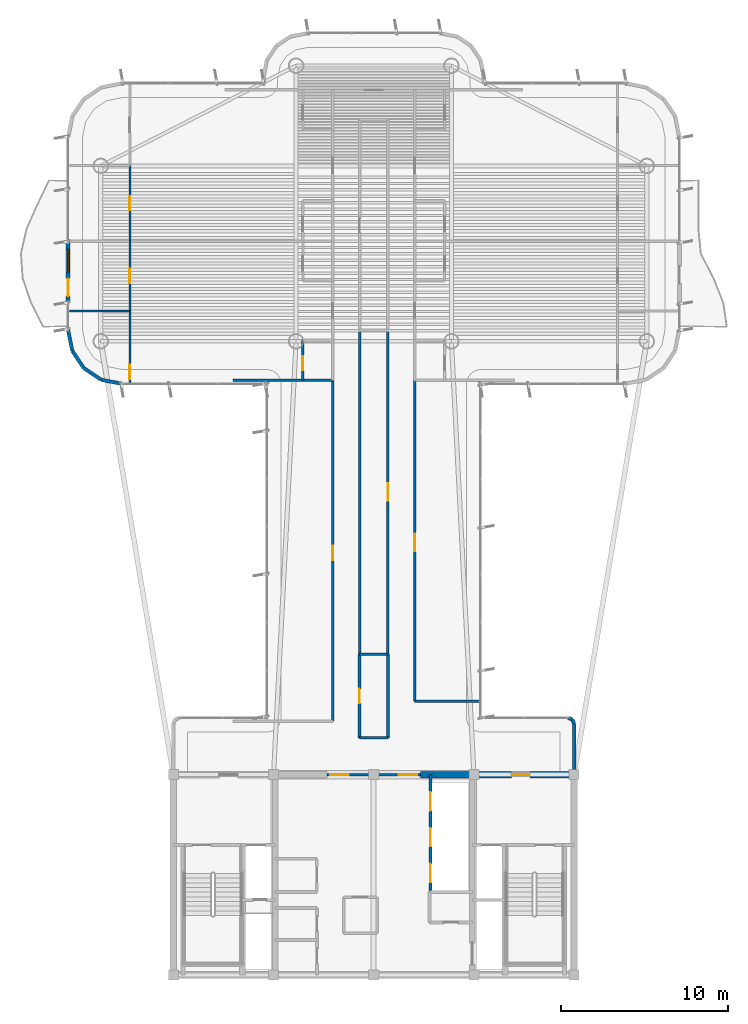
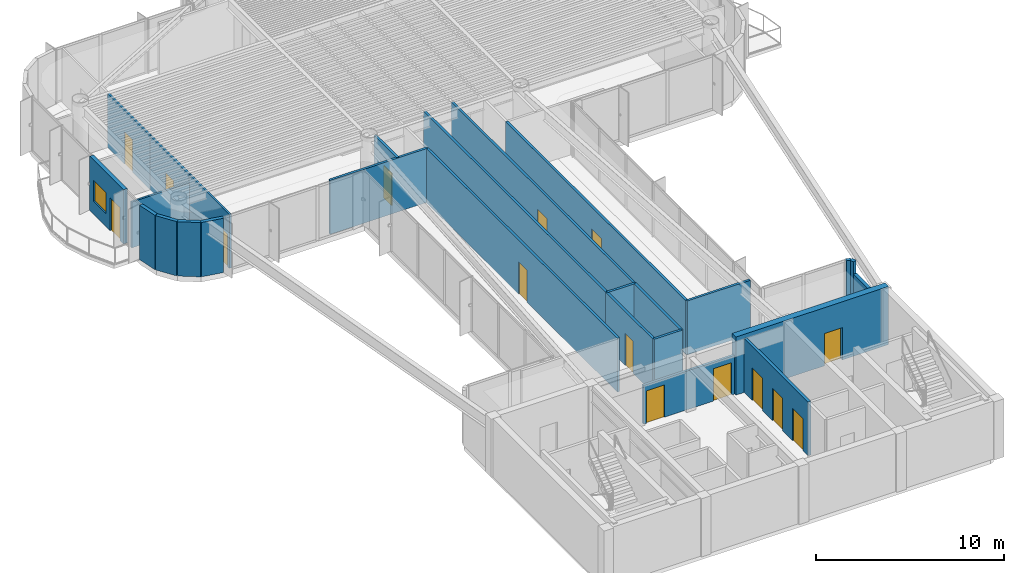
# One storey, part 11 of 16: 26 walls, 15 doors, 1 window, 16 openings.
"""IFC4 building model written with IfcOpenShell, lengths in metres."""

import ifcopenshell
import ifcopenshell.guid

model = None  # the IFC model being written
_history = None  # IfcOwnerHistory: only IFC2X3 demands one
_inside = {}  # id of a spatial element -> (the spatial element, [elements in it])
_under = {}  # id of a project, library or spatial element -> (it, [spatial elements below it])
_declared = {}  # id of a project -> (the project, [libraries it declares])
_typed = {}  # id of a type object -> (the type object, [elements of that type])
_made_of = {}  # id of a material, layer set ... -> (it, [elements and type objects made of it])


def new_model(schema):
    """Start an empty IFC model of exactly this schema.

    Asked for "IFC4X3", IfcOpenShell would pick the latest addendum, in which some entities
    have other attributes; the version numbers below select the first issue.
    IFC2X3 requires an IfcOwnerHistory on every rooted entity: one is made here for all.
    """
    global model, _history
    if schema == "IFC4X3":
        model = ifcopenshell.file(schema_version=(4, 3, 0, 0))
    else:
        model = ifcopenshell.file(schema=schema)
    _inside.clear()
    _under.clear()
    _declared.clear()
    _typed.clear()
    _made_of.clear()
    _history = None
    if model.schema == "IFC2X3":
        org = make("IfcOrganization", Name="unknown")
        user = make(
            "IfcPersonAndOrganization",
            ThePerson=make("IfcPerson", FamilyName="unknown"),
            TheOrganization=org,
        )
        app = make(
            "IfcApplication",
            ApplicationDeveloper=org,
            Version="unknown",
            ApplicationFullName="unknown",
            ApplicationIdentifier="unknown",
        )
        _history = make(
            "IfcOwnerHistory",
            OwningUser=user,
            OwningApplication=app,
            ChangeAction="ADDED",
            CreationDate=0,
        )
    return model


def make(cls, **values):
    """One entity of the class cls with the attributes given. An attribute that is None is left unset."""
    return model.create_entity(
        cls, **{name: value for name, value in values.items() if value is not None}
    )


def rooted(cls, **values):
    """An entity with a GlobalId (a new one), such as an element, a storey or a relation."""
    return make(cls, GlobalId=ifcopenshell.guid.new(), OwnerHistory=_history, **values)


def si_unit(unit_type, name, prefix=None):
    """IfcSIUnit, for example si_unit("LENGTHUNIT", "METRE", prefix="MILLI")."""
    return make("IfcSIUnit", UnitType=unit_type, Prefix=prefix, Name=name)


def assignment(units):
    """IfcUnitAssignment: the units of a project."""
    return None if units is None else make("IfcUnitAssignment", Units=units)


def point(xyz):
    """IfcCartesianPoint."""
    return None if xyz is None else make("IfcCartesianPoint", Coordinates=xyz)


def direction(xyz):
    """IfcDirection."""
    return None if xyz is None else make("IfcDirection", DirectionRatios=xyz)


def frame(location, z_axis=None, x_axis=None):
    """IfcAxis2Placement3D, a coordinate frame: its origin and axes. An axis left out is left unset."""
    return make(
        "IfcAxis2Placement3D",
        Location=point(location),
        Axis=direction(z_axis),
        RefDirection=direction(x_axis),
    )


def frame_2d(location, x_axis=None):
    """IfcAxis2Placement2D, a coordinate frame in the plane: its origin and x axis."""
    return make(
        "IfcAxis2Placement2D", Location=point(location), RefDirection=direction(x_axis)
    )


def origin():
    """The frame at (0, 0, 0) with its axes left unset."""
    return frame((0.0, 0.0, 0.0))


def origin_2d():
    """The frame at (0, 0) in the plane with its x axis left unset."""
    return frame_2d((0.0, 0.0))


def place(relative_to, where):
    """IfcLocalPlacement: puts the frame where relative to a parent placement (None: the world)."""
    return make(
        "IfcLocalPlacement", PlacementRelTo=relative_to, RelativePlacement=where
    )


def context(
    kind, dimensions, precision=None, world=None, true_north=None, identifier=None
):
    """IfcGeometricRepresentationContext, for example the 3D "Model" context."""
    return make(
        "IfcGeometricRepresentationContext",
        ContextIdentifier=identifier,
        ContextType=kind,
        CoordinateSpaceDimension=dimensions,
        Precision=precision,
        WorldCoordinateSystem=world,
        TrueNorth=true_north,
    )


def subcontext(parent, identifier, kind, view, scale=None):
    """IfcGeometricRepresentationSubContext, for example "Body" below "Model"."""
    return make(
        "IfcGeometricRepresentationSubContext",
        ContextIdentifier=identifier,
        ContextType=kind,
        ParentContext=parent,
        TargetScale=scale,
        TargetView=view,
    )


def project(units=None, contexts=None):
    """IfcProject with its units and contexts."""
    return rooted(
        "IfcProject",
        Name="project",
        RepresentationContexts=contexts,
        UnitsInContext=assignment(units),
    )


def spatial(cls, under=None, at=None, **own):
    """A site, building, storey or space (cls), placed at a placement, below another one or the project."""
    s = rooted(cls, ObjectPlacement=at, **own)
    if under is not None:
        _under.setdefault(under.id(), (under, []))[1].append(s)
    return s


def profile(cls, at=None, kind="AREA", **sizes):
    """A parametric profile (cls). Its sizes go by their IFC names, for example OverallWidth=200.0."""
    return make(cls, ProfileType=kind, Position=at, **sizes)


def rectangle(**sizes):
    """IfcRectangleProfileDef."""
    return profile("IfcRectangleProfileDef", **sizes)


def extrude(swept, where, along, depth):
    """IfcExtrudedAreaSolid: the profile swept, set in the frame where, extruded along a direction by depth."""
    return make(
        "IfcExtrudedAreaSolid",
        SweptArea=swept,
        Position=where,
        ExtrudedDirection=direction(along),
        Depth=depth,
    )


def shape(context_of_items, identifier, shape_type, items):
    """IfcShapeRepresentation: the items that make up one representation, for example the "Body"."""
    return make(
        "IfcShapeRepresentation",
        ContextOfItems=context_of_items,
        RepresentationIdentifier=identifier,
        RepresentationType=shape_type,
        Items=items,
    )


def source(mapping_origin, context_of_items, identifier, shape_type, items):
    """IfcRepresentationMap: a shape defined once, which mapped items show again and again."""
    return make(
        "IfcRepresentationMap",
        MappingOrigin=mapping_origin,
        MappedRepresentation=shape(context_of_items, identifier, shape_type, items),
    )


def transform(
    local_origin,
    x_axis=None,
    y_axis=None,
    z_axis=None,
    scale=None,
    scale2=None,
    scale3=None,
    uniform=True,
):
    """IfcCartesianTransformationOperator3D, or its non-uniform kind. x_axis, y_axis, z_axis: its Axis1, 2, 3."""
    if uniform:
        return make(
            "IfcCartesianTransformationOperator3D",
            Axis1=direction(x_axis),
            Axis2=direction(y_axis),
            LocalOrigin=point(local_origin),
            Scale=scale,
            Axis3=direction(z_axis),
        )
    return make(
        "IfcCartesianTransformationOperator3DnonUniform",
        Axis1=direction(x_axis),
        Axis2=direction(y_axis),
        LocalOrigin=point(local_origin),
        Scale=scale,
        Axis3=direction(z_axis),
        Scale2=scale2,
        Scale3=scale3,
    )


def mapped(mapping_source, mapping_target):
    """IfcMappedItem: shows the shape of a source again, moved by a transform."""
    return make(
        "IfcMappedItem", MappingSource=mapping_source, MappingTarget=mapping_target
    )


def material(Name=None, Category=None):
    """IfcMaterial."""
    return make("IfcMaterial", Name=Name, Category=Category)


def layer(
    of_material, thickness, ventilated=None, Name=None, Category=None, Priority=None
):
    """IfcMaterialLayer: one layer of a wall or slab, of a material (None: an air gap)."""
    return make(
        "IfcMaterialLayer",
        Material=of_material,
        LayerThickness=thickness,
        IsVentilated=ventilated,
        Name=Name,
        Category=Category,
        Priority=Priority,
    )


def layer_set(layers, Name=None):
    """IfcMaterialLayerSet."""
    return make("IfcMaterialLayerSet", MaterialLayers=layers, LayerSetName=Name)


def made_of(thing, what):
    """Note that an element or type object is made of a material, layer set ...; save() writes the relation."""
    if what is not None:
        _made_of.setdefault(what.id(), (what, []))[1].append(thing)
    return thing


def type_object(cls, material=None, **own):
    """A type object (cls), such as IfcWallType, which elements share."""
    return made_of(rooted(cls, **own), material)


def element(
    cls,
    number,
    at=None,
    inside=None,
    cuts=None,
    type_object=None,
    material=None,
    context=None,
    identifier="Body",
    shape_type=None,
    held_by="IfcProductDefinitionShape",
    body=None,
    shapes=None,
    **own,
):
    """One element of the class cls, such as IfcWall. Its Tag is "e" and its number.

    at: its placement. inside: the storey or other place that contains it. cuts: it is an
    opening in that element (IfcRelVoidsElement). A single representation is given by context,
    identifier, shape_type and body (its items); several are given by shapes. held_by: the class
    of the entity that holds the representations. save() writes the other relations.
    """
    e = rooted(cls, Tag="e%d" % number, ObjectPlacement=at, **own)
    if body is not None:
        shapes = [shape(context, identifier, shape_type, body)]
    if shapes is not None:
        e.Representation = make(held_by, Representations=shapes)
    if inside is not None:
        _inside.setdefault(inside.id(), (inside, []))[1].append(e)
    if cuts is not None:
        rooted(
            "IfcRelVoidsElement", RelatingBuildingElement=cuts, RelatedOpeningElement=e
        )
    if type_object is not None:
        _typed.setdefault(type_object.id(), (type_object, []))[1].append(e)
    return made_of(e, material)


def fill(opening, filler):
    """IfcRelFillsElement: the door or window that sits in an opening."""
    return rooted(
        "IfcRelFillsElement",
        RelatingOpeningElement=opening,
        RelatedBuildingElement=filler,
    )


def aggregate(whole, parts):
    """IfcRelAggregates: a whole, such as a stair, and the parts it consists of."""
    return rooted("IfcRelAggregates", RelatingObject=whole, RelatedObjects=parts)


def save(model, path):
    """Write the relations noted so far, then the file.

    IfcRelAggregates (storeys below a building ...), IfcRelContainedInSpatialStructure (elements
    in a storey), IfcRelDefinesByType, IfcRelAssociatesMaterial and IfcRelDeclares: one each for
    every whole, place, type object, material and project.
    """
    for whole, parts in _under.values():
        aggregate(whole, parts)
    for where, things in _inside.values():
        rooted(
            "IfcRelContainedInSpatialStructure",
            RelatedElements=things,
            RelatingStructure=where,
        )
    for kind, things in _typed.values():
        rooted("IfcRelDefinesByType", RelatedObjects=things, RelatingType=kind)
    for what, things in _made_of.values():
        rooted("IfcRelAssociatesMaterial", RelatedObjects=things, RelatingMaterial=what)
    for by, libraries in _declared.values():
        rooted("IfcRelDeclares", RelatingContext=by, RelatedDefinitions=libraries)
    model.write(path)


model = new_model("IFC4")

# Units and contexts
model_context = context("Model", 3, precision=1e-05, world=origin(), true_north=direction((0.0, 1.0)))
body_context = subcontext(model_context, "Body", "Model", "MODEL_VIEW")
ifc_project = project(units=[si_unit("LENGTHUNIT", "METRE"), si_unit("AREAUNIT", "SQUARE_METRE"), si_unit("VOLUMEUNIT", "CUBIC_METRE"), si_unit("PLANEANGLEUNIT", "RADIAN"), si_unit("MASSUNIT", "GRAM", prefix="KILO")], contexts=[model_context])

# Site, building, storey
site_placement = place(None, origin())
site = spatial("IfcSite", under=ifc_project, at=site_placement, CompositionType="ELEMENT")
building_placement = place(site_placement, origin())
building = spatial("IfcBuilding", under=site, at=building_placement, Name="Brelvock Crest Care Tower", CompositionType="ELEMENT")
storey_placement = place(building_placement, frame((0.0, 0.0, 223.02001953125)))
storey = spatial("IfcBuildingStorey", under=building, at=storey_placement, Name="L56", CompositionType="ELEMENT", Elevation=223.02001953125)

# Wall, opening, door
ifc_material_1 = material(Name="Concrete S65 (65 MPa)", Category="concrete")
ifc_layer_1 = layer(ifc_material_1, 0.39990234375, Name="WL-CS4")
ifc_layer_set_1 = layer_set([ifc_layer_1], Name="Concrete S65 (65 MPa)")
wall_type_1 = type_object("IfcWallType", Name="WL-CS4", PredefinedType="SHEAR", material=ifc_layer_set_1)
wall_1_placement = place(storey_placement, frame((38.800048828125, 18.0, 0.0), z_axis=(0.0, 0.0, 1.0), x_axis=(1.0, 0.0, 0.0)))
wall_1 = element("IfcWall", 1, at=wall_1_placement, inside=storey, type_object=wall_type_1, Name="L56 Core North-East Shear Wall", PredefinedType="SHEAR", context=body_context, shape_type="SweptSolid", body=[
    extrude(rectangle(XDim=9.39990234375, YDim=0.39990234375, at=frame_2d((4.699951171875, 0.0))), origin(), (0.0, 0.0, 1.0), 3.780029296875),
])
opening_1_placement = place(wall_1_placement, frame((5.449951171875, 0.0, 0.0)))
opening_1 = element("IfcOpeningElement", 2, at=opening_1_placement, cuts=wall_1, Name="Opening FD-1", PredefinedType="OPENING", context=body_context, shape_type="SweptSolid", body=[
    extrude(rectangle(XDim=1.10009765625, YDim=2.10009765625, at=origin_2d()), frame((0.550048828125, 0.2099609375, 1.050048828125), z_axis=(0.0, -1.0, 0.0), x_axis=(1.0, 0.0, 0.0)), (0.0, 0.0, 1.0), 0.419921875),
])
ifc_material_2 = material(Name="Steel Grade 350", Category="steel")
door_type_1 = type_object("IfcDoorType", Name="DR-FFL1", OperationType="NOTDEFINED", PredefinedType="DOOR", material=ifc_material_2)
shared_shape_1 = source(origin(), body_context, "Body", "SweptSolid", [
    extrude(rectangle(XDim=1.10009765625, YDim=2.10009765625, at=origin_2d()), frame((0.550048828125, 0.02490234375, 1.050048828125), z_axis=(0.0, -1.0, 0.0), x_axis=(1.0, 0.0, 0.0)), (0.0, 0.0, 1.0), 0.050048828125),
])
door_1_placement = place(opening_1_placement, origin())
door_1 = element("IfcDoor", 3, at=door_1_placement, inside=storey, type_object=door_type_1, Name="L56 Firefighting Lobby FFL-2 Exit Door", OperationType="SINGLE_SWING_RIGHT", OverallHeight=2.10009765625, OverallWidth=1.10009765625, PredefinedType="DOOR", context=body_context, shape_type="MappedRepresentation", body=[
    mapped(shared_shape_1, transform((0.0, 0.0, 0.0), x_axis=(1.0, 0.0, 0.0), y_axis=(0.0, 1.0, 0.0), z_axis=(0.0, 0.0, 1.0), scale=1.0)),
])
fill(opening_1, door_1)

# Wall, openings, door, window
ifc_material_3 = material(Name="Precast concrete N40 (40 MPa)", Category="concrete")
ifc_layer_2 = layer(ifc_material_3, 0.239990234375, Name="WL-EX1")
ifc_layer_set_2 = layer_set([ifc_layer_2], Name="Precast concrete N40 (40 MPa)")
wall_type_2 = type_object("IfcWallType", Name="WL-EX1", PredefinedType="SOLIDWALL", material=ifc_layer_set_2)
wall_2_placement = place(storey_placement, frame((17.699951171875, 46.25, 0.0), z_axis=(0.0, 0.0, 1.0), x_axis=(0.0, 1.0, 0.0)))
wall_2 = element("IfcWall", 4, at=wall_2_placement, inside=storey, type_object=wall_type_2, Name="L56 Exterior Spandrel Wall WL-BAL-L56-W", PredefinedType="SOLIDWALL", context=body_context, shape_type="SweptSolid", body=[
    extrude(rectangle(XDim=3.60009765625, YDim=0.239990234375, at=frame_2d((1.800048828125, 0.0))), origin(), (0.0, 0.0, 1.0), 3.530029296875),
])
opening_2_placement = place(wall_2_placement, frame((0.39990234375, 0.0, 0.0)))
opening_2 = element("IfcOpeningElement", 5, at=opening_2_placement, cuts=wall_2, Name="Opening BD-1", PredefinedType="OPENING", context=body_context, shape_type="SweptSolid", body=[
    extrude(rectangle(XDim=1.050048828125, YDim=2.14990234375, at=origin_2d()), frame((0.52490234375, 0.1298828125, 1.074951171875), z_axis=(0.0, -1.0, 0.0), x_axis=(1.0, 0.0, 0.0)), (0.0, 0.0, 1.0), 0.260009765625),
])
opening_3_placement = place(wall_2_placement, frame((1.85009765625, 0.0, 0.85009765625)))
opening_3 = element("IfcOpeningElement", 6, at=opening_3_placement, cuts=wall_2, Name="Opening W-01", PredefinedType="OPENING", context=body_context, shape_type="SweptSolid", body=[
    extrude(rectangle(XDim=1.35009765625, YDim=1.35009765625, at=origin_2d()), frame((0.675048828125, 0.1298828125, 0.675048828125), z_axis=(0.0, -1.0, 0.0), x_axis=(1.0, 0.0, 0.0)), (0.0, 0.0, 1.0), 0.260009765625),
])
ifc_material_4 = material(Name="Dark Glass Double Glazed Low-E", Category="glass")
door_type_2 = type_object("IfcDoorType", Name="DR-BAL1", OperationType="NOTDEFINED", PredefinedType="DOOR", material=ifc_material_4)
shared_shape_2 = source(origin(), body_context, "Body", "SweptSolid", [
    extrude(rectangle(XDim=1.050048828125, YDim=2.14990234375, at=origin_2d()), frame((0.52490234375, 0.02490234375, 1.074951171875), z_axis=(0.0, -1.0, 0.0), x_axis=(1.0, 0.0, 0.0)), (0.0, 0.0, 1.0), 0.050048828125),
])
door_2_placement = place(opening_2_placement, origin())
door_2 = element("IfcDoor", 7, at=door_2_placement, inside=storey, type_object=door_type_2, Name="L56 W Wave Balcony Glazed Door", OperationType="SINGLE_SWING_LEFT", OverallHeight=2.14990234375, OverallWidth=1.050048828125, PredefinedType="DOOR", context=body_context, shape_type="MappedRepresentation", body=[
    mapped(shared_shape_2, transform((0.0, 0.0, 0.0), x_axis=(1.0, 0.0, 0.0), y_axis=(0.0, 1.0, 0.0), z_axis=(0.0, 0.0, 1.0), scale=1.0)),
])
fill(opening_2, door_2)
window_type = type_object("IfcWindowType", Name="WN-EX1", PartitioningType="SINGLE_PANEL", PredefinedType="WINDOW", material=ifc_material_4)
shared_shape_3 = source(origin(), body_context, "Body", "SweptSolid", [
    extrude(rectangle(XDim=1.35009765625, YDim=1.35009765625, at=origin_2d()), frame((0.675048828125, 0.030029296875, 0.675048828125), z_axis=(0.0, -1.0, 0.0), x_axis=(1.0, 0.0, 0.0)), (0.0, 0.0, 1.0), 0.06005859375),
])
window_placement = place(opening_3_placement, origin())
window = element("IfcWindow", 8, at=window_placement, inside=storey, type_object=window_type, Name="L56 W Suite Casement Window", OverallHeight=1.35009765625, OverallWidth=1.35009765625, PartitioningType="SINGLE_PANEL", PredefinedType="WINDOW", context=body_context, shape_type="MappedRepresentation", body=[
    mapped(shared_shape_3, transform((0.0, 0.0, 0.0), x_axis=(1.0, 0.0, 0.0), y_axis=(0.0, 1.0, 0.0), z_axis=(0.0, 0.0, 1.0), scale=1.0)),
])
fill(opening_3, window)

# Walls
ifc_layer_3 = layer(ifc_material_3, 0.215087890625, Name="WL-EX2")
ifc_layer_set_3 = layer_set([ifc_layer_3], Name="Precast concrete N40 (40 MPa)")
wall_type_3 = type_object("IfcWallType", Name="WL-EX2", PredefinedType="SOLIDWALL", material=ifc_layer_set_3)
wall_3_placement = place(storey_placement, frame((47.8974609375, 21.297607421875, 0.0), z_axis=(0.0, 0.0, 1.0), x_axis=(0.382673670509, -0.923883575944, 0.0)))
element("IfcWall", 9, at=wall_3_placement, inside=storey, type_object=wall_type_3, Name="L56 Rounded Corner Wall 00", PredefinedType="SOLIDWALL", context=body_context, shape_type="SweptSolid", body=[
    extrude(rectangle(XDim=0.26806640625, YDim=0.215087890625, at=frame_2d((0.134033203125, 0.0))), origin(), (0.0, 0.0, 1.0), 3.530029296875),
])
wall_4_placement = place(storey_placement, frame((48.0, 21.050048828125, 0.0), z_axis=(0.0, 0.0, 1.0), x_axis=(0.0, -1.0, 0.0)))
element("IfcWall", 10, at=wall_4_placement, inside=storey, type_object=wall_type_3, Name="L56 Rounded Corner Wall 01", PredefinedType="SOLIDWALL", context=body_context, shape_type="SweptSolid", body=[
    extrude(rectangle(XDim=2.77001953125, YDim=0.215087890625, at=frame_2d((1.385009765625, 0.0))), origin(), (0.0, 0.0, 1.0), 2.718017578125),
])
for number, where, z_axis, x_axis, name in (
    (11, (20.89990234375, 41.39990234375, 0.0), (0.0, 0.0, 1.0), (-0.980775717779, 0.195138390419, 0.0), "L56 Rounded Corner Wall 13"),
    (12, (19.67529296875, 41.6435546875, 0.0), (0.0, 0.0, 1.0), (-0.831387912822, 0.555692485475, 0.0), "L56 Rounded Corner Wall 14"),
    (13, (18.63720703125, 42.33740234375, 0.0), (0.0, 0.0, 1.0), (-0.555557312883, 0.831478245117, 0.0), "L56 Rounded Corner Wall 15"),
    (14, (17.943603515625, 43.37548828125, 0.0), (0.0, 0.0, 1.0), (-0.195138390419, 0.980775717779, 0.0), "L56 Rounded Corner Wall 16"),
):
    element("IfcWall", number, at=place(storey_placement, frame(where, z_axis=z_axis, x_axis=x_axis)), inside=storey, type_object=wall_type_3, Name=name, PredefinedType="SOLIDWALL", context=body_context, shape_type="SweptSolid", body=[
        extrude(rectangle(XDim=1.24853515625, YDim=0.215087890625, at=frame_2d((0.624267578125, 0.0))), origin(), (0.0, 0.0, 1.0), 3.530029296875),
    ])
wall_5_placement = place(storey_placement, frame((47.64990234375, 21.39990234375, 0.0), z_axis=(0.0, 0.0, 1.0), x_axis=(0.924205486139, -0.381895560841, 0.0)))
element("IfcWall", 15, at=wall_5_placement, inside=storey, type_object=wall_type_3, Name="L56 Rounded Corner Wall 47", PredefinedType="SOLIDWALL", context=body_context, shape_type="SweptSolid", body=[
    extrude(rectangle(XDim=0.267822265625, YDim=0.215087890625, at=frame_2d((0.1337890625, 0.0))), origin(), (0.0, 0.0, 1.0), 3.530029296875),
])

# Wall, openings, doors
ifc_material_5 = material(Name="Masonry Blockwork Acoustic Partition", Category="masonry")
ifc_layer_4 = layer(ifc_material_5, 0.14990234375, Name="WL-INT1")
ifc_layer_set_4 = layer_set([ifc_layer_4], Name="Masonry Blockwork Acoustic Partition")
wall_type_4 = type_object("IfcWallType", Name="WL-INT1", PredefinedType="PARTITIONING", material=ifc_layer_set_4)
wall_6_placement = place(storey_placement, frame((33.199951171875, 18.0, 0.0), z_axis=(0.0, 0.0, 1.0), x_axis=(1.0, 0.0, 0.0)))
wall_6 = element("IfcWall", 16, at=wall_6_placement, inside=storey, type_object=wall_type_4, Name="L56 Interior Wall WL-CORE-NPORT-L56", PredefinedType="PARTITIONING", context=body_context, shape_type="SweptSolid", body=[
    extrude(rectangle(XDim=5.60009765625, YDim=0.14990234375, at=frame_2d((2.800048828125, 0.0))), origin(), (0.0, 0.0, 1.0), 2.514892578125),
])
opening_4_placement = place(wall_6_placement, frame((0.18994140625, 0.0, 0.0)))
opening_4 = element("IfcOpeningElement", 17, at=opening_4_placement, cuts=wall_6, Name="Opening FD-1", PredefinedType="OPENING", context=body_context, shape_type="SweptSolid", body=[
    extrude(rectangle(XDim=1.10009765625, YDim=2.10009765625, at=origin_2d()), frame((0.550048828125, 0.0849609375, 1.050048828125), z_axis=(0.0, -1.0, 0.0), x_axis=(1.0, 0.0, 0.0)), (0.0, 0.0, 1.0), 0.169921875),
])
opening_5_placement = place(wall_6_placement, frame((4.31005859375, 0.0, 0.0)))
opening_5 = element("IfcOpeningElement", 18, at=opening_5_placement, cuts=wall_6, Name="Opening FD-1", PredefinedType="OPENING", context=body_context, shape_type="SweptSolid", body=[
    extrude(rectangle(XDim=1.10009765625, YDim=2.10009765625, at=origin_2d()), frame((0.550048828125, 0.0849609375, 1.050048828125), z_axis=(0.0, -1.0, 0.0), x_axis=(1.0, 0.0, 0.0)), (0.0, 0.0, 1.0), 0.169921875),
])
door_3_placement = place(opening_4_placement, origin())
door_3 = element("IfcDoor", 19, at=door_3_placement, inside=storey, type_object=door_type_1, Name="L56 Lift Lobby North Smoke Door West", OperationType="SINGLE_SWING_LEFT", OverallHeight=2.10009765625, OverallWidth=1.10009765625, PredefinedType="DOOR", context=body_context, shape_type="MappedRepresentation", body=[
    mapped(shared_shape_1, transform((0.0, 0.0, 0.0), x_axis=(1.0, 0.0, 0.0), y_axis=(0.0, 1.0, 0.0), z_axis=(0.0, 0.0, 1.0), scale=1.0)),
])
fill(opening_4, door_3)
door_4_placement = place(opening_5_placement, origin())
door_4 = element("IfcDoor", 20, at=door_4_placement, inside=storey, type_object=door_type_1, Name="L56 Lift Lobby North Smoke Door East", OperationType="SINGLE_SWING_RIGHT", OverallHeight=2.10009765625, OverallWidth=1.10009765625, PredefinedType="DOOR", context=body_context, shape_type="MappedRepresentation", body=[
    mapped(shared_shape_1, transform((0.0, 0.0, 0.0), x_axis=(1.0, 0.0, 0.0), y_axis=(0.0, 1.0, 0.0), z_axis=(0.0, 0.0, 1.0), scale=1.0)),
])
fill(opening_5, door_4)

# Walls
wall_7_placement = place(storey_placement, frame((38.449951171875, 22.39990234375, 0.0), z_axis=(0.0, 0.0, 1.0), x_axis=(1.0, 0.0, 0.0)))
element("IfcWall", 21, at=wall_7_placement, inside=storey, type_object=wall_type_4, Name="L56 Interior Wall WL-BX-L56-THRE-S", PredefinedType="PARTITIONING", context=body_context, shape_type="SweptSolid", body=[
    extrude(rectangle(XDim=3.873291015625, YDim=0.14990234375, at=frame_2d((1.9365234375, 0.0))), origin(), (0.0, 0.0, 1.0), 3.5),
])
wall_8_placement = place(storey_placement, frame((27.557861328125, 41.60009765625, 0.0), z_axis=(0.0, 0.0, 1.0), x_axis=(1.0, 0.0, 0.0)))
element("IfcWall", 22, at=wall_8_placement, inside=storey, type_object=wall_type_4, Name="L56 Interior Wall WL-BX-L56-FL-WF1-S2", PredefinedType="PARTITIONING", context=body_context, shape_type="SweptSolid", body=[
    extrude(rectangle(XDim=5.9921875, YDim=0.14990234375, at=frame_2d((2.99609375, 0.0))), origin(), (0.0, 0.0, 1.0), 3.5),
])

# Wall, opening, door
wall_9_placement = place(storey_placement, frame((33.550048828125, 21.199951171875, 0.0), z_axis=(0.0, 0.0, 1.0), x_axis=(0.0, 1.0, 0.0)))
wall_9 = element("IfcWall", 23, at=wall_9_placement, inside=storey, type_object=wall_type_4, Name="L56 Interior Wall WL-RM-L56-THRW", PredefinedType="PARTITIONING", context=body_context, shape_type="SweptSolid", body=[
    extrude(rectangle(XDim=20.400146484375, YDim=0.14990234375, at=frame_2d((10.2001953125, 0.0))), origin(), (0.0, 0.0, 1.0), 3.5),
])
opening_6_placement = place(wall_9_placement, frame((9.639892578125, 0.0, 0.0)))
opening_6 = element("IfcOpeningElement", 24, at=opening_6_placement, cuts=wall_9, Name="Opening ID-1", PredefinedType="OPENING", context=body_context, shape_type="SweptSolid", body=[
    extrude(rectangle(XDim=0.860107421875, YDim=2.10009765625, at=origin_2d()), frame((0.43017578125, 0.0849609375, 1.050048828125), z_axis=(0.0, -1.0, 0.0), x_axis=(1.0, 0.0, 0.0)), (0.0, 0.0, 1.0), 0.169921875),
])
ifc_material_6 = material(Name="Engineered Hardwood Timber", Category="wood")
door_type_3 = type_object("IfcDoorType", Name="DR-INT1", OperationType="NOTDEFINED", PredefinedType="DOOR", material=ifc_material_6)
shared_shape_4 = source(origin(), body_context, "Body", "SweptSolid", [
    extrude(rectangle(XDim=0.860107421875, YDim=2.10009765625, at=origin_2d()), frame((0.43017578125, 0.02490234375, 1.050048828125), z_axis=(0.0, -1.0, 0.0), x_axis=(1.0, 0.0, 0.0)), (0.0, 0.0, 1.0), 0.050048828125),
])
door_5_placement = place(opening_6_placement, origin())
door_5 = element("IfcDoor", 25, at=door_5_placement, inside=storey, type_object=door_type_3, Name="L56 Quiet Family Consultation Room Door THRW", OperationType="SINGLE_SWING_LEFT", OverallHeight=2.10009765625, OverallWidth=0.860107421875, PredefinedType="DOOR", context=body_context, shape_type="MappedRepresentation", body=[
    mapped(shared_shape_4, transform((0.0, 0.0, 0.0), x_axis=(1.0, 0.0, 0.0), y_axis=(0.0, 1.0, 0.0), z_axis=(0.0, 0.0, 1.0), scale=1.0)),
])
fill(opening_6, door_5)

# Wall
wall_10_placement = place(storey_placement, frame((35.14990234375, 25.199951171875, 0.0), z_axis=(0.0, 0.0, 1.0), x_axis=(0.0, 1.0, 0.0)))
element("IfcWall", 26, at=wall_10_placement, inside=storey, type_object=wall_type_4, Name="L56 Interior Wall WL-BX-L56-ISNS-W", PredefinedType="PARTITIONING", context=body_context, shape_type="SweptSolid", body=[
    extrude(rectangle(XDim=19.420166015625, YDim=0.14990234375, at=frame_2d((9.7099609375, 0.0))), origin(), (0.0, 0.0, 1.0), 3.5),
])

# Wall, opening, door
wall_11_placement = place(storey_placement, frame((36.85009765625, 25.199951171875, 0.0), z_axis=(0.0, 0.0, 1.0), x_axis=(0.0, 1.0, 0.0)))
wall_11 = element("IfcWall", 27, at=wall_11_placement, inside=storey, type_object=wall_type_4, Name="L56 Interior Wall WL-RM-L56-ISNS", PredefinedType="PARTITIONING", context=body_context, shape_type="SweptSolid", body=[
    extrude(rectangle(XDim=19.420166015625, YDim=0.14990234375, at=frame_2d((9.7099609375, 0.0))), origin(), (0.0, 0.0, 1.0), 3.5),
])
opening_7_placement = place(wall_11_placement, frame((9.18505859375, 0.0, 0.0)))
opening_7 = element("IfcOpeningElement", 28, at=opening_7_placement, cuts=wall_11, Name="Opening CLD-1", PredefinedType="OPENING", context=body_context, shape_type="SweptSolid", body=[
    extrude(rectangle(XDim=1.050048828125, YDim=2.10009765625, at=origin_2d()), frame((0.52490234375, 0.0849609375, 1.050048828125), z_axis=(0.0, -1.0, 0.0), x_axis=(1.0, 0.0, 0.0)), (0.0, 0.0, 1.0), 0.169921875),
])
door_type_4 = type_object("IfcDoorType", Name="DR-CLN1", OperationType="NOTDEFINED", PredefinedType="DOOR", material=ifc_material_6)
shared_shape_5 = source(origin(), body_context, "Body", "SweptSolid", [
    extrude(rectangle(XDim=1.050048828125, YDim=2.10009765625, at=origin_2d()), frame((0.52490234375, 0.02490234375, 1.050048828125), z_axis=(0.0, -1.0, 0.0), x_axis=(1.0, 0.0, 0.0)), (0.0, 0.0, 1.0), 0.050048828125),
])
door_6_placement = place(opening_7_placement, origin())
door_6 = element("IfcDoor", 29, at=door_6_placement, inside=storey, type_object=door_type_4, Name="L56 Care Concierge and Triage Station Door ISNS", OperationType="SINGLE_SWING_LEFT", OverallHeight=2.10009765625, OverallWidth=1.050048828125, PredefinedType="DOOR", context=body_context, shape_type="MappedRepresentation", body=[
    mapped(shared_shape_5, transform((0.0, 0.0, 0.0), x_axis=(1.0, 0.0, 0.0), y_axis=(0.0, 1.0, 0.0), z_axis=(0.0, 0.0, 1.0), scale=1.0)),
])
fill(opening_7, door_6)

wall_12_placement = place(storey_placement, frame((38.449951171875, 22.39990234375, 0.0), z_axis=(0.0, 0.0, 1.0), x_axis=(0.0, 1.0, 0.0)))
wall_12 = element("IfcWall", 30, at=wall_12_placement, inside=storey, type_object=wall_type_4, Name="L56 Interior Wall WL-RM-L56-THRE", PredefinedType="PARTITIONING", context=body_context, shape_type="SweptSolid", body=[
    extrude(rectangle(XDim=19.2001953125, YDim=0.14990234375, at=frame_2d((9.60009765625, 0.0))), origin(), (0.0, 0.0, 1.0), 3.5),
])
opening_8_placement = place(wall_12_placement, frame((8.97509765625, 0.0, 0.0)))
opening_8 = element("IfcOpeningElement", 31, at=opening_8_placement, cuts=wall_12, Name="Opening CLD-1", PredefinedType="OPENING", context=body_context, shape_type="SweptSolid", body=[
    extrude(rectangle(XDim=1.050048828125, YDim=2.10009765625, at=origin_2d()), frame((0.52490234375, 0.0849609375, 1.050048828125), z_axis=(0.0, -1.0, 0.0), x_axis=(1.0, 0.0, 0.0)), (0.0, 0.0, 1.0), 0.169921875),
])
door_7_placement = place(opening_8_placement, origin())
door_7 = element("IfcDoor", 32, at=door_7_placement, inside=storey, type_object=door_type_4, Name="L56 Allied Health Therapy Room Door THRE", OperationType="SINGLE_SWING_LEFT", OverallHeight=2.10009765625, OverallWidth=1.050048828125, PredefinedType="DOOR", context=body_context, shape_type="MappedRepresentation", body=[
    mapped(shared_shape_5, transform((0.0, 0.0, 0.0), x_axis=(1.0, 0.0, 0.0), y_axis=(0.0, 1.0, 0.0), z_axis=(0.0, 0.0, 1.0), scale=1.0)),
])
fill(opening_8, door_7)

# Wall
ifc_material_7 = material(Name="Gypsum Plasterboard Partition", Category="gypsum")
ifc_layer_5 = layer(ifc_material_7, 0.1201171875, Name="WL-INT2")
ifc_layer_set_5 = layer_set([ifc_layer_5], Name="Gypsum Plasterboard Partition")
wall_type_5 = type_object("IfcWallType", Name="WL-INT2", PredefinedType="PARTITIONING", material=ifc_layer_set_5)
wall_13_placement = place(storey_placement, frame((17.780029296875, 45.77587890625, 0.0), z_axis=(0.0, 0.0, 1.0), x_axis=(1.0, 0.0, 0.0)))
element("IfcWall", 33, at=wall_13_placement, inside=storey, type_object=wall_type_5, Name="L56 Interior Wall WL-UBSP-L56-WF1", PredefinedType="PARTITIONING", context=body_context, shape_type="SweptSolid", body=[
    extrude(rectangle(XDim=3.60986328125, YDim=0.1201171875, at=frame_2d((1.804931640625, 0.0))), origin(), (0.0, 0.0, 1.0), 2.98193359375),
])

# Wall, opening, door
wall_14_placement = place(storey_placement, frame((21.389892578125, 41.47998046875, 0.0), z_axis=(0.0, 0.0, 1.0), x_axis=(0.0, 1.0, 0.0)))
wall_14 = element("IfcWall", 34, at=wall_14_placement, inside=storey, type_object=wall_type_5, Name="L56 Interior Wall WL-UBD1-L56-WF1", PredefinedType="PARTITIONING", context=body_context, shape_type="SweptSolid", body=[
    extrude(rectangle(XDim=4.2958984375, YDim=0.1201171875, at=frame_2d((2.14794921875, 0.0))), origin(), (0.0, 0.0, 1.0), 3.5),
])
opening_9_placement = place(wall_14_placement, frame((0.197998046875, 0.0, 0.0)))
opening_9 = element("IfcOpeningElement", 35, at=opening_9_placement, cuts=wall_14, Name="Opening ID-1", PredefinedType="OPENING", context=body_context, shape_type="SweptSolid", body=[
    extrude(rectangle(XDim=0.860107421875, YDim=2.10009765625, at=origin_2d()), frame((0.43017578125, 0.070068359375, 1.050048828125), z_axis=(0.0, -1.0, 0.0), x_axis=(1.0, 0.0, 0.0)), (0.0, 0.0, 1.0), 0.14013671875),
])
door_8_placement = place(opening_9_placement, origin())
door_8 = element("IfcDoor", 36, at=door_8_placement, inside=storey, type_object=door_type_3, Name="L56 Primary Bedroom Door WF1", OperationType="SINGLE_SWING_RIGHT", OverallHeight=2.10009765625, OverallWidth=0.860107421875, PredefinedType="DOOR", context=body_context, shape_type="MappedRepresentation", body=[
    mapped(shared_shape_4, transform((0.0, 0.0, 0.0), x_axis=(1.0, 0.0, 0.0), y_axis=(0.0, 1.0, 0.0), z_axis=(0.0, 0.0, 1.0), scale=1.0)),
])
fill(opening_9, door_8)

wall_15_placement = place(storey_placement, frame((21.389892578125, 45.77587890625, 0.0), z_axis=(0.0, 0.0, 1.0), x_axis=(0.0, 1.0, 0.0)))
wall_15 = element("IfcWall", 37, at=wall_15_placement, inside=storey, type_object=wall_type_5, Name="L56 Interior Wall WL-UBD2-L56-WF1", PredefinedType="PARTITIONING", context=body_context, shape_type="SweptSolid", body=[
    extrude(rectangle(XDim=4.176025390625, YDim=0.1201171875, at=frame_2d((2.087890625, 0.0))), origin(), (0.0, 0.0, 1.0), 3.5),
])
opening_10_placement = place(wall_15_placement, frame((1.657958984375, 0.0, 0.0)))
opening_10 = element("IfcOpeningElement", 38, at=opening_10_placement, cuts=wall_15, Name="Opening ID-1", PredefinedType="OPENING", context=body_context, shape_type="SweptSolid", body=[
    extrude(rectangle(XDim=0.860107421875, YDim=2.10009765625, at=origin_2d()), frame((0.43017578125, 0.070068359375, 1.050048828125), z_axis=(0.0, -1.0, 0.0), x_axis=(1.0, 0.0, 0.0)), (0.0, 0.0, 1.0), 0.14013671875),
])
door_9_placement = place(opening_10_placement, origin())
door_9 = element("IfcDoor", 39, at=door_9_placement, inside=storey, type_object=door_type_3, Name="L56 Second Room Door WF1", OperationType="SINGLE_SWING_LEFT", OverallHeight=2.10009765625, OverallWidth=0.860107421875, PredefinedType="DOOR", context=body_context, shape_type="MappedRepresentation", body=[
    mapped(shared_shape_4, transform((0.0, 0.0, 0.0), x_axis=(1.0, 0.0, 0.0), y_axis=(0.0, 1.0, 0.0), z_axis=(0.0, 0.0, 1.0), scale=1.0)),
])
fill(opening_10, door_9)

wall_16_placement = place(storey_placement, frame((21.389892578125, 49.951904296875, 0.0), z_axis=(0.0, 0.0, 1.0), x_axis=(0.0, 1.0, 0.0)))
wall_16 = element("IfcWall", 40, at=wall_16_placement, inside=storey, type_object=wall_type_5, Name="L56 Interior Wall WL-UBD1-L56-WF2", PredefinedType="PARTITIONING", context=body_context, shape_type="SweptSolid", body=[
    extrude(rectangle(XDim=4.524169921875, YDim=0.1201171875, at=frame_2d((2.26220703125, 0.0))), origin(), (0.0, 0.0, 1.0), 3.5),
])
opening_11_placement = place(wall_16_placement, frame((1.83203125, 0.0, 0.0)))
opening_11 = element("IfcOpeningElement", 41, at=opening_11_placement, cuts=wall_16, Name="Opening ID-1", PredefinedType="OPENING", context=body_context, shape_type="SweptSolid", body=[
    extrude(rectangle(XDim=0.860107421875, YDim=2.10009765625, at=origin_2d()), frame((0.43017578125, 0.070068359375, 1.050048828125), z_axis=(0.0, -1.0, 0.0), x_axis=(1.0, 0.0, 0.0)), (0.0, 0.0, 1.0), 0.14013671875),
])
door_10_placement = place(opening_11_placement, origin())
door_10 = element("IfcDoor", 42, at=door_10_placement, inside=storey, type_object=door_type_3, Name="L56 Primary Bedroom Door WF2", OperationType="SINGLE_SWING_RIGHT", OverallHeight=2.10009765625, OverallWidth=0.860107421875, PredefinedType="DOOR", context=body_context, shape_type="MappedRepresentation", body=[
    mapped(shared_shape_4, transform((0.0, 0.0, 0.0), x_axis=(1.0, 0.0, 0.0), y_axis=(0.0, 1.0, 0.0), z_axis=(0.0, 0.0, 1.0), scale=1.0)),
])
fill(opening_11, door_10)

# Walls
ifc_layer_6 = layer(ifc_material_7, 0.159912109375, Name="WL-PLM1")
ifc_layer_set_6 = layer_set([ifc_layer_6], Name="Gypsum Plasterboard Partition")
wall_type_6 = type_object("IfcWallType", Name="WL-PLM1", PredefinedType="PLUMBINGWALL", material=ifc_layer_set_6)
for number, where, z_axis, x_axis, name in (
    (43, (35.14990234375, 20.199951171875, 0.0), (0.0, 0.0, 1.0), (1.0, 0.0, 0.0), "L56 Interior Wall WL-BX-L56-ISWC-S"),
    (44, (35.14990234375, 25.199951171875, 0.0), (0.0, 0.0, 1.0), (1.0, 0.0, 0.0), "L56 Interior Wall WL-BX-L56-ISNS-S"),
):
    element("IfcWall", number, at=place(storey_placement, frame(where, z_axis=z_axis, x_axis=x_axis)), inside=storey, type_object=wall_type_6, Name=name, PredefinedType="PLUMBINGWALL", context=body_context, shape_type="SweptSolid", body=[
        extrude(rectangle(XDim=1.7001953125, YDim=0.159912109375, at=frame_2d((0.85009765625, 0.0))), origin(), (0.0, 0.0, 1.0), 3.5),
    ])

# Wall, opening, door
wall_17_placement = place(storey_placement, frame((31.75, 41.60009765625, 0.0), z_axis=(0.0, 0.0, 1.0), x_axis=(0.0, 1.0, 0.0)))
wall_17 = element("IfcWall", 45, at=wall_17_placement, inside=storey, type_object=wall_type_6, Name="L56 Interior Wall WL-UBTH1-L56-WF1", PredefinedType="PLUMBINGWALL", context=body_context, shape_type="SweptSolid", body=[
    extrude(rectangle(XDim=2.39990234375, YDim=0.159912109375, at=frame_2d((1.199951171875, 0.0))), origin(), (0.0, 0.0, 1.0), 3.5),
])
opening_12_placement = place(wall_17_placement, frame((0.60009765625, 0.0, 0.0)))
opening_12 = element("IfcOpeningElement", 46, at=opening_12_placement, cuts=wall_17, Name="Opening WD-1", PredefinedType="OPENING", context=body_context, shape_type="SweptSolid", body=[
    extrude(rectangle(XDim=0.860107421875, YDim=2.10009765625, at=origin_2d()), frame((0.43017578125, 0.08984375, 1.050048828125), z_axis=(0.0, -1.0, 0.0), x_axis=(1.0, 0.0, 0.0)), (0.0, 0.0, 1.0), 0.179931640625),
])
door_type_5 = type_object("IfcDoorType", Name="DR-WC1", OperationType="NOTDEFINED", PredefinedType="DOOR", material=ifc_material_6)
shared_shape_6 = source(origin(), body_context, "Body", "SweptSolid", [
    extrude(rectangle(XDim=0.860107421875, YDim=2.10009765625, at=origin_2d()), frame((0.43017578125, 0.02490234375, 1.050048828125), z_axis=(0.0, -1.0, 0.0), x_axis=(1.0, 0.0, 0.0)), (0.0, 0.0, 1.0), 0.050048828125),
])
door_11_placement = place(opening_12_placement, origin())
door_11 = element("IfcDoor", 47, at=door_11_placement, inside=storey, type_object=door_type_5, Name="L56 Bathroom Door WF1", OperationType="SINGLE_SWING_LEFT", OverallHeight=2.10009765625, OverallWidth=0.860107421875, PredefinedType="DOOR", context=body_context, shape_type="MappedRepresentation", body=[
    mapped(shared_shape_6, transform((0.0, 0.0, 0.0), x_axis=(1.0, 0.0, 0.0), y_axis=(0.0, 1.0, 0.0), z_axis=(0.0, 0.0, 1.0), scale=1.0)),
])
fill(opening_12, door_11)

wall_18_placement = place(storey_placement, frame((35.14990234375, 20.199951171875, 0.0), z_axis=(0.0, 0.0, 1.0), x_axis=(0.0, 1.0, 0.0)))
wall_18 = element("IfcWall", 48, at=wall_18_placement, inside=storey, type_object=wall_type_6, Name="L56 Interior Wall WL-RM-L56-ISWC", PredefinedType="PLUMBINGWALL", context=body_context, shape_type="SweptSolid", body=[
    extrude(rectangle(XDim=5.0, YDim=0.159912109375, at=frame_2d((2.5, 0.0))), origin(), (0.0, 0.0, 1.0), 3.5),
])
opening_13_placement = place(wall_18_placement, frame((2.070068359375, 0.0, 0.0)))
opening_13 = element("IfcOpeningElement", 49, at=opening_13_placement, cuts=wall_18, Name="Opening WD-1", PredefinedType="OPENING", context=body_context, shape_type="SweptSolid", body=[
    extrude(rectangle(XDim=0.860107421875, YDim=2.10009765625, at=origin_2d()), frame((0.43017578125, 0.08984375, 1.050048828125), z_axis=(0.0, -1.0, 0.0), x_axis=(1.0, 0.0, 0.0)), (0.0, 0.0, 1.0), 0.179931640625),
])
door_12_placement = place(opening_13_placement, origin())
door_12 = element("IfcDoor", 50, at=door_12_placement, inside=storey, type_object=door_type_5, Name="L56 High-Zone Accessible WC Door ISWC", OperationType="SINGLE_SWING_LEFT", OverallHeight=2.10009765625, OverallWidth=0.860107421875, PredefinedType="DOOR", context=body_context, shape_type="MappedRepresentation", body=[
    mapped(shared_shape_6, transform((0.0, 0.0, 0.0), x_axis=(1.0, 0.0, 0.0), y_axis=(0.0, 1.0, 0.0), z_axis=(0.0, 0.0, 1.0), scale=1.0)),
])
fill(opening_13, door_12)

# Wall
wall_19_placement = place(storey_placement, frame((36.85009765625, 20.199951171875, 0.0), z_axis=(0.0, 0.0, 1.0), x_axis=(0.0, 1.0, 0.0)))
element("IfcWall", 51, at=wall_19_placement, inside=storey, type_object=wall_type_6, Name="L56 Interior Wall WL-BX-L56-ISWC-E", PredefinedType="PLUMBINGWALL", context=body_context, shape_type="SweptSolid", body=[
    extrude(rectangle(XDim=5.0, YDim=0.159912109375, at=frame_2d((2.5, 0.0))), origin(), (0.0, 0.0, 1.0), 3.5),
])

# Wall, openings, doors
ifc_layer_7 = layer(ifc_material_5, 0.179931640625, Name="WL-SHF1")
ifc_layer_set_7 = layer_set([ifc_layer_7], Name="Masonry Blockwork Acoustic Partition")
wall_type_7 = type_object("IfcWallType", Name="WL-SHF1", PredefinedType="PARTITIONING", material=ifc_layer_set_7)
wall_20_placement = place(storey_placement, frame((39.39990234375, 11.0, 0.0), z_axis=(0.0, 0.0, 1.0), x_axis=(0.0, 1.0, 0.0)))
wall_20 = element("IfcWall", 52, at=wall_20_placement, inside=storey, type_object=wall_type_7, Name="L56 Interior Wall WL-PLH-BANK-L56", PredefinedType="PARTITIONING", context=body_context, shape_type="SweptSolid", body=[
    extrude(rectangle(XDim=7.0, YDim=0.179931640625, at=frame_2d((3.5, 0.0))), origin(), (0.0, 0.0, 1.0), 3.5),
])
opening_14_placement = place(wall_20_placement, frame((0.550048828125, 0.0, 0.0)))
opening_14 = element("IfcOpeningElement", 53, at=opening_14_placement, cuts=wall_20, Name="Opening LD", PredefinedType="OPENING", context=body_context, shape_type="SweptSolid", body=[
    extrude(rectangle(XDim=1.10009765625, YDim=2.10009765625, at=origin_2d()), frame((0.550048828125, 0.10009765625, 1.050048828125), z_axis=(0.0, -1.0, 0.0), x_axis=(1.0, 0.0, 0.0)), (0.0, 0.0, 1.0), 0.199951171875),
])
opening_15_placement = place(wall_20_placement, frame((2.699951171875, 0.0, 0.0)))
opening_15 = element("IfcOpeningElement", 54, at=opening_15_placement, cuts=wall_20, Name="Opening LD", PredefinedType="OPENING", context=body_context, shape_type="SweptSolid", body=[
    extrude(rectangle(XDim=1.10009765625, YDim=2.10009765625, at=origin_2d()), frame((0.550048828125, 0.10009765625, 1.050048828125), z_axis=(0.0, -1.0, 0.0), x_axis=(1.0, 0.0, 0.0)), (0.0, 0.0, 1.0), 0.199951171875),
])
opening_16_placement = place(wall_20_placement, frame((4.85009765625, 0.0, 0.0)))
opening_16 = element("IfcOpeningElement", 55, at=opening_16_placement, cuts=wall_20, Name="Opening LD", PredefinedType="OPENING", context=body_context, shape_type="SweptSolid", body=[
    extrude(rectangle(XDim=1.10009765625, YDim=2.10009765625, at=origin_2d()), frame((0.550048828125, 0.10009765625, 1.050048828125), z_axis=(0.0, -1.0, 0.0), x_axis=(1.0, 0.0, 0.0)), (0.0, 0.0, 1.0), 0.199951171875),
])
door_type_6 = type_object("IfcDoorType", Name="DR-LD1", OperationType="NOTDEFINED", PredefinedType="DOOR", material=ifc_material_2)
shared_shape_7 = source(origin(), body_context, "Body", "SweptSolid", [
    extrude(rectangle(XDim=1.10009765625, YDim=2.10009765625, at=origin_2d()), frame((0.550048828125, 0.02490234375, 1.050048828125), z_axis=(0.0, -1.0, 0.0), x_axis=(1.0, 0.0, 0.0)), (0.0, 0.0, 1.0), 0.050048828125),
])
door_13_placement = place(opening_14_placement, origin())
door_13 = element("IfcDoor", 56, at=door_13_placement, inside=storey, type_object=door_type_6, Name="L56 Lift PL-H1 Landing Door", OperationType="SLIDING_TO_RIGHT", OverallHeight=2.10009765625, OverallWidth=1.10009765625, PredefinedType="DOOR", context=body_context, shape_type="MappedRepresentation", body=[
    mapped(shared_shape_7, transform((0.0, 0.0, 0.0), x_axis=(1.0, 0.0, 0.0), y_axis=(0.0, 1.0, 0.0), z_axis=(0.0, 0.0, 1.0), scale=1.0)),
])
fill(opening_14, door_13)
door_14_placement = place(opening_15_placement, origin())
door_14 = element("IfcDoor", 57, at=door_14_placement, inside=storey, type_object=door_type_6, Name="L56 Lift PL-H2 Landing Door", OperationType="SLIDING_TO_RIGHT", OverallHeight=2.10009765625, OverallWidth=1.10009765625, PredefinedType="DOOR", context=body_context, shape_type="MappedRepresentation", body=[
    mapped(shared_shape_7, transform((0.0, 0.0, 0.0), x_axis=(1.0, 0.0, 0.0), y_axis=(0.0, 1.0, 0.0), z_axis=(0.0, 0.0, 1.0), scale=1.0)),
])
fill(opening_15, door_14)
door_15_placement = place(opening_16_placement, origin())
door_15 = element("IfcDoor", 58, at=door_15_placement, inside=storey, type_object=door_type_6, Name="L56 Lift PL-H3 Landing Door", OperationType="SLIDING_TO_RIGHT", OverallHeight=2.10009765625, OverallWidth=1.10009765625, PredefinedType="DOOR", context=body_context, shape_type="MappedRepresentation", body=[
    mapped(shared_shape_7, transform((0.0, 0.0, 0.0), x_axis=(1.0, 0.0, 0.0), y_axis=(0.0, 1.0, 0.0), z_axis=(0.0, 0.0, 1.0), scale=1.0)),
])
fill(opening_16, door_15)

save(model, "model.ifc")
